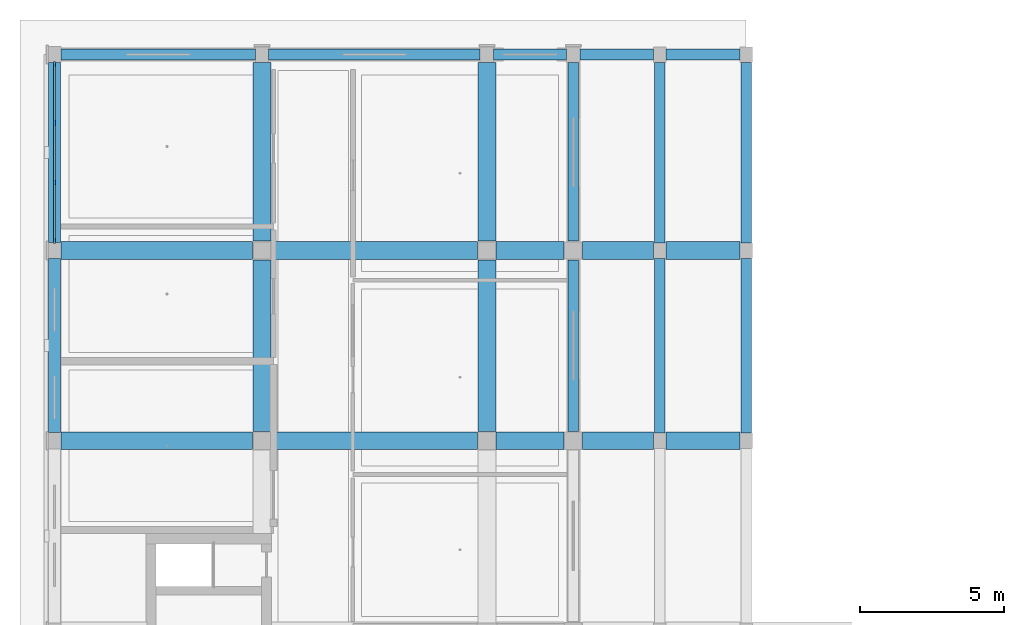
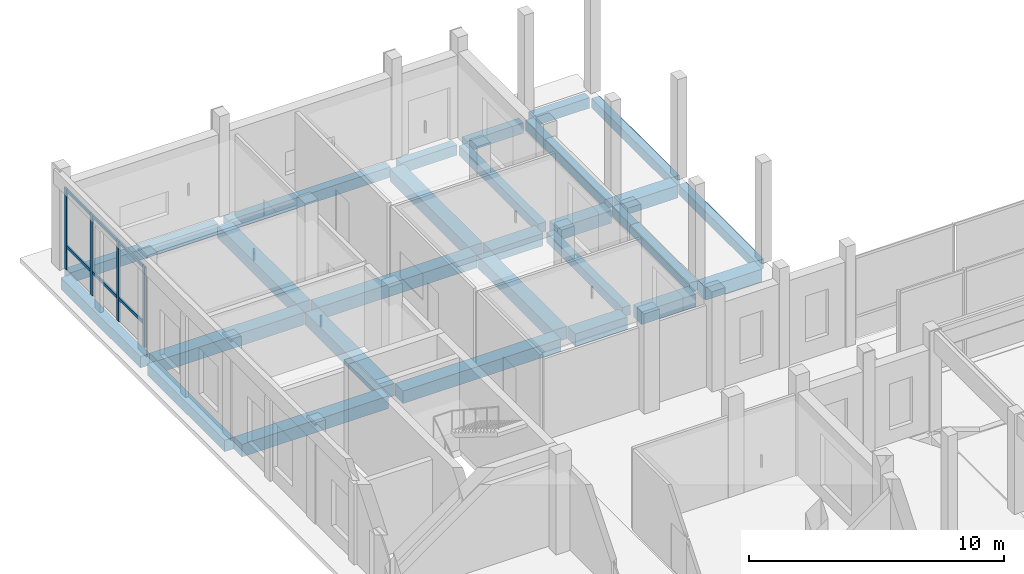
# One storey, part 26 of 88: 27 beams, 6 members, 1 element without a shape of its own.
"""IFC4 building model written with IfcOpenShell, lengths in metres."""

from ifc_helpers import new_model, si_unit, derived_unit, direction, frame, origin, origin_2d, place, context, subcontext, project, spatial, rectangle, extrude, material, material_profile, profile_set, type_object, element, aggregate, save


model = new_model("IFC4")

# Units and contexts
model_context = context("Model", 3, precision=1e-05, world=origin(), true_north=direction((0.0, 1.0)))
body_context = subcontext(model_context, "Body", "Model", "MODEL_VIEW")
ifc_project = project(units=[si_unit("LENGTHUNIT", "METRE"), si_unit("AREAUNIT", "SQUARE_METRE"), si_unit("VOLUMEUNIT", "CUBIC_METRE"), si_unit("PLANEANGLEUNIT", "RADIAN"), si_unit("MASSUNIT", "GRAM", prefix="KILO"), derived_unit("THERMALTRANSMITTANCEUNIT", [(si_unit("POWERUNIT", "WATT"), 1), (si_unit("LENGTHUNIT", "METRE"), -2), (si_unit("THERMODYNAMICTEMPERATUREUNIT", "KELVIN"), -1)])], contexts=[model_context])

# Site, building, storey
site_placement = place(None, origin())
site = spatial("IfcSite", under=ifc_project, at=site_placement, CompositionType="ELEMENT")
building_placement = place(site_placement, origin())
building = spatial("IfcBuilding", under=site, at=building_placement, Name="Braskholm Square Health Centre", CompositionType="ELEMENT")
storey_placement = place(building_placement, origin())
storey = spatial("IfcBuildingStorey", under=building, at=storey_placement, Name="L01", CompositionType="ELEMENT", Elevation=0.0)

# Curtain wall, members
ifc_material_1 = material(Name="Low-E triple insulating glass (VLT 0.64)", Category="glass")
curtain_wall_type = type_object("IfcCurtainWallType", Name="UnitisedCurtainWall6200x3800", PredefinedType="NOTDEFINED", material=ifc_material_1)
curtain_wall_placement = place(storey_placement, origin())
curtain_wall = element("IfcCurtainWall", 1, at=curtain_wall_placement, inside=storey, type_object=curtain_wall_type, Name="West Storefront unitised curtain wall CW-L01-0005", PredefinedType="NOTDEFINED")
ifc_material_2 = material(Name="Architectural bronze anodised aluminium", Category="aluminium")
ifc_material_profile_1 = material_profile(ifc_material_2, rectangle(XDim=0.074951171875, YDim=0.179931640625, at=origin_2d()), Name="ALU-75X180")
ifc_profile_set_1 = profile_set([ifc_material_profile_1], Name="Architectural bronze anodised aluminium")
member_type_1 = type_object("IfcMemberType", Name="CurtainWallMullion75x180", PredefinedType="MULLION", material=ifc_profile_set_1)
member_1_placement = place(storey_placement, frame((4.199951171875, 113.47265625, 0.0), z_axis=(0.0, 0.0, 1.0), x_axis=(1.0, 0.0, 0.0)))
member_1 = element("IfcMember", 2, at=member_1_placement, type_object=member_type_1, Name="CW-L01-0005 vertical mullion 1", PredefinedType="MULLION", context=body_context, shape_type="SweptSolid", body=[
    extrude(rectangle(XDim=0.074951171875, YDim=0.179931640625, at=origin_2d()), origin(), (0.0, 0.0, 1.0), 3.8701171875),
])
member_2_placement = place(storey_placement, frame((4.199951171875, 111.436767578125, 0.0), z_axis=(0.0, 0.0, 1.0), x_axis=(1.0, 0.0, 0.0)))
member_2 = element("IfcMember", 3, at=member_2_placement, type_object=member_type_1, Name="CW-L01-0005 vertical mullion 2", PredefinedType="MULLION", context=body_context, shape_type="SweptSolid", body=[
    extrude(rectangle(XDim=0.074951171875, YDim=0.179931640625, at=origin_2d()), origin(), (0.0, 0.0, 1.0), 3.8701171875),
])
member_3_placement = place(storey_placement, frame((4.199951171875, 109.36328125, 0.0), z_axis=(0.0, 0.0, 1.0), x_axis=(1.0, 0.0, 0.0)))
member_3 = element("IfcMember", 4, at=member_3_placement, type_object=member_type_1, Name="CW-L01-0005 vertical mullion 3", PredefinedType="MULLION", context=body_context, shape_type="SweptSolid", body=[
    extrude(rectangle(XDim=0.074951171875, YDim=0.179931640625, at=origin_2d()), origin(), (0.0, 0.0, 1.0), 3.8701171875),
])
member_4_placement = place(storey_placement, frame((4.199951171875, 107.327392578125, 0.0), z_axis=(0.0, 0.0, 1.0), x_axis=(1.0, 0.0, 0.0)))
member_4 = element("IfcMember", 5, at=member_4_placement, type_object=member_type_1, Name="CW-L01-0005 vertical mullion 4", PredefinedType="MULLION", context=body_context, shape_type="SweptSolid", body=[
    extrude(rectangle(XDim=0.074951171875, YDim=0.179931640625, at=origin_2d()), origin(), (0.0, 0.0, 1.0), 3.8701171875),
])
ifc_material_profile_2 = material_profile(ifc_material_2, rectangle(XDim=0.074951171875, YDim=0.139892578125, at=origin_2d()), Name="ALU-75X140")
ifc_profile_set_2 = profile_set([ifc_material_profile_2], Name="Architectural bronze anodised aluminium")
member_type_2 = type_object("IfcMemberType", Name="CurtainWallTransom75x140", PredefinedType="USERDEFINED", material=ifc_profile_set_2)
member_5_placement = place(storey_placement, frame((4.199951171875, 113.465087890625, 1.1201171875), z_axis=(0.0, -1.0, 0.0), x_axis=(1.0, 0.0, 0.0)))
member_5 = element("IfcMember", 6, at=member_5_placement, type_object=member_type_2, Name="CW-L01-0005 horizontal transom 1", ObjectType="TRANSOM", PredefinedType="USERDEFINED", context=body_context, shape_type="SweptSolid", body=[
    extrude(rectangle(XDim=0.074951171875, YDim=0.139892578125, at=origin_2d()), origin(), (0.0, 0.0, 1.0), 6.130126953125),
])
member_6_placement = place(storey_placement, frame((4.199951171875, 113.465087890625, 3.800048828125), z_axis=(0.0, -1.0, 0.0), x_axis=(1.0, 0.0, 0.0)))
member_6 = element("IfcMember", 7, at=member_6_placement, type_object=member_type_2, Name="CW-L01-0005 horizontal transom 2", ObjectType="TRANSOM", PredefinedType="USERDEFINED", context=body_context, shape_type="SweptSolid", body=[
    extrude(rectangle(XDim=0.074951171875, YDim=0.139892578125, at=origin_2d()), origin(), (0.0, 0.0, 1.0), 6.130126953125),
])
aggregate(curtain_wall, [member_1, member_2, member_3, member_4, member_5, member_6])

# Beams
ifc_material_3 = material(Name="Concrete C40/50 (f'c = 40 MPa)", Category="concrete")
ifc_material_profile_3 = material_profile(ifc_material_3, rectangle(XDim=0.6201171875, YDim=0.60009765625, at=origin_2d()), Name="RCB-620X600")
ifc_profile_set_3 = profile_set([ifc_material_profile_3], Name="Concrete C40/50 (f'c = 40 MPa)")
beam_type_1 = type_object("IfcBeamType", Name="PrimarySubstructureBeam620x600", PredefinedType="BEAM", material=ifc_profile_set_3)
beam_1_placement = place(storey_placement, frame((11.39990234375, 100.72509765625, -0.679931640625), z_axis=(0.0, 1.0, 0.0), x_axis=(-1.0, 0.0, 0.0)))
element("IfcBeam", 8, at=beam_1_placement, inside=storey, type_object=beam_type_1, Name="Beam 2/Q-R L01", PredefinedType="BEAM", context=body_context, shape_type="SweptSolid", body=[
    extrude(rectangle(XDim=0.6201171875, YDim=0.60009765625, at=origin_2d()), origin(), (0.0, 0.0, 1.0), 5.949951171875),
])
beam_2_placement = place(storey_placement, frame((11.39990234375, 107.324951171875, -0.679931640625), z_axis=(0.0, 1.0, 0.0), x_axis=(-1.0, 0.0, 0.0)))
element("IfcBeam", 9, at=beam_2_placement, inside=storey, type_object=beam_type_1, Name="Beam 2/R-S L01", PredefinedType="BEAM", context=body_context, shape_type="SweptSolid", body=[
    extrude(rectangle(XDim=0.6201171875, YDim=0.60009765625, at=origin_2d()), origin(), (0.0, 0.0, 1.0), 6.195068359375),
])
beam_3_placement = place(storey_placement, frame((19.199951171875, 100.72509765625, -0.679931640625), z_axis=(0.0, 1.0, 0.0), x_axis=(-1.0, 0.0, 0.0)))
element("IfcBeam", 10, at=beam_3_placement, inside=storey, type_object=beam_type_1, Name="Beam 3/Q-R L01", PredefinedType="BEAM", context=body_context, shape_type="SweptSolid", body=[
    extrude(rectangle(XDim=0.6201171875, YDim=0.60009765625, at=origin_2d()), origin(), (0.0, 0.0, 1.0), 5.949951171875),
])
beam_4_placement = place(storey_placement, frame((19.199951171875, 107.324951171875, -0.679931640625), z_axis=(0.0, 1.0, 0.0), x_axis=(-1.0, 0.0, 0.0)))
element("IfcBeam", 11, at=beam_4_placement, inside=storey, type_object=beam_type_1, Name="Beam 3/R-S L01", PredefinedType="BEAM", context=body_context, shape_type="SweptSolid", body=[
    extrude(rectangle(XDim=0.6201171875, YDim=0.60009765625, at=origin_2d()), origin(), (0.0, 0.0, 1.0), 6.195068359375),
])
beam_5_placement = place(storey_placement, frame((4.429931640625, 100.39990234375, -0.679931640625), z_axis=(1.0, 0.0, 0.0), x_axis=(0.0, 1.0, 0.0)))
element("IfcBeam", 12, at=beam_5_placement, inside=storey, type_object=beam_type_1, Name="Beam 1-2/Q L01", PredefinedType="BEAM", context=body_context, shape_type="SweptSolid", body=[
    extrude(rectangle(XDim=0.6201171875, YDim=0.60009765625, at=origin_2d()), origin(), (0.0, 0.0, 1.0), 6.64501953125),
])
beam_6_placement = place(storey_placement, frame((11.72509765625, 100.39990234375, -0.679931640625), z_axis=(1.0, 0.0, 0.0), x_axis=(0.0, 1.0, 0.0)))
element("IfcBeam", 13, at=beam_6_placement, inside=storey, type_object=beam_type_1, Name="Beam 2-3/Q L01", PredefinedType="BEAM", context=body_context, shape_type="SweptSolid", body=[
    extrude(rectangle(XDim=0.6201171875, YDim=0.60009765625, at=origin_2d()), origin(), (0.0, 0.0, 1.0), 7.14990234375),
])
beam_7_placement = place(storey_placement, frame((19.52490234375, 100.39990234375, -0.679931640625), z_axis=(1.0, 0.0, 0.0), x_axis=(0.0, 1.0, 0.0)))
element("IfcBeam", 14, at=beam_7_placement, inside=storey, type_object=beam_type_1, Name="Beam 3-4/Q L01", PredefinedType="BEAM", context=body_context, shape_type="SweptSolid", body=[
    extrude(rectangle(XDim=0.6201171875, YDim=0.60009765625, at=origin_2d()), origin(), (0.0, 0.0, 1.0), 2.35009765625),
])
beam_8_placement = place(storey_placement, frame((22.52490234375, 100.39990234375, -0.679931640625), z_axis=(1.0, 0.0, 0.0), x_axis=(0.0, 1.0, 0.0)))
element("IfcBeam", 15, at=beam_8_placement, inside=storey, type_object=beam_type_1, Name="Beam 4-5/Q L01", PredefinedType="BEAM", context=body_context, shape_type="SweptSolid", body=[
    extrude(rectangle(XDim=0.6201171875, YDim=0.60009765625, at=origin_2d()), origin(), (0.0, 0.0, 1.0), 2.455078125),
])
beam_9_placement = place(storey_placement, frame((25.419921875, 100.39990234375, -0.52490234375), z_axis=(1.0, 0.0, 0.0), x_axis=(0.0, 1.0, 0.0)))
element("IfcBeam", 16, at=beam_9_placement, inside=storey, type_object=beam_type_1, Name="Beam 5-6/Q L01", PredefinedType="BEAM", context=body_context, shape_type="SweptSolid", body=[
    extrude(rectangle(XDim=0.6201171875, YDim=0.60009765625, at=origin_2d()), origin(), (0.0, 0.0, 1.0), 2.56005859375),
])
beam_10_placement = place(storey_placement, frame((4.429931640625, 107.0, -0.679931640625), z_axis=(1.0, 0.0, 0.0), x_axis=(0.0, 1.0, 0.0)))
element("IfcBeam", 17, at=beam_10_placement, inside=storey, type_object=beam_type_1, Name="Beam 1-2/R L01", PredefinedType="BEAM", context=body_context, shape_type="SweptSolid", body=[
    extrude(rectangle(XDim=0.6201171875, YDim=0.60009765625, at=origin_2d()), origin(), (0.0, 0.0, 1.0), 6.64501953125),
])
beam_11_placement = place(storey_placement, frame((11.72509765625, 107.0, -0.679931640625), z_axis=(1.0, 0.0, 0.0), x_axis=(0.0, 1.0, 0.0)))
element("IfcBeam", 18, at=beam_11_placement, inside=storey, type_object=beam_type_1, Name="Beam 2-3/R L01", PredefinedType="BEAM", context=body_context, shape_type="SweptSolid", body=[
    extrude(rectangle(XDim=0.6201171875, YDim=0.60009765625, at=origin_2d()), origin(), (0.0, 0.0, 1.0), 7.14990234375),
])
beam_12_placement = place(storey_placement, frame((19.52490234375, 107.0, -0.679931640625), z_axis=(1.0, 0.0, 0.0), x_axis=(0.0, 1.0, 0.0)))
element("IfcBeam", 19, at=beam_12_placement, inside=storey, type_object=beam_type_1, Name="Beam 3-4/R L01", PredefinedType="BEAM", context=body_context, shape_type="SweptSolid", body=[
    extrude(rectangle(XDim=0.6201171875, YDim=0.60009765625, at=origin_2d()), origin(), (0.0, 0.0, 1.0), 2.35009765625),
])
beam_13_placement = place(storey_placement, frame((22.52490234375, 107.0, -0.679931640625), z_axis=(1.0, 0.0, 0.0), x_axis=(0.0, 1.0, 0.0)))
element("IfcBeam", 20, at=beam_13_placement, inside=storey, type_object=beam_type_1, Name="Beam 4-5/R L01", PredefinedType="BEAM", context=body_context, shape_type="SweptSolid", body=[
    extrude(rectangle(XDim=0.6201171875, YDim=0.60009765625, at=origin_2d()), origin(), (0.0, 0.0, 1.0), 2.455078125),
])
beam_14_placement = place(storey_placement, frame((25.419921875, 107.0, -0.52490234375), z_axis=(1.0, 0.0, 0.0), x_axis=(0.0, 1.0, 0.0)))
element("IfcBeam", 21, at=beam_14_placement, inside=storey, type_object=beam_type_1, Name="Beam 5-6/R L01", PredefinedType="BEAM", context=body_context, shape_type="SweptSolid", body=[
    extrude(rectangle(XDim=0.6201171875, YDim=0.60009765625, at=origin_2d()), origin(), (0.0, 0.0, 1.0), 2.56005859375),
])
ifc_material_4 = material(Name="Precast concrete C40/50 architectural white", Category="concrete")
ifc_material_profile_4 = material_profile(ifc_material_4, rectangle(XDim=0.3798828125, YDim=0.5, at=origin_2d()), Name="RCB-380X500")
ifc_profile_set_4 = profile_set([ifc_material_profile_4], Name="Precast concrete C40/50 architectural white")
beam_type_2 = type_object("IfcBeamType", Name="SpandrelPrecastEdge380x500", PredefinedType="SPANDREL", material=ifc_profile_set_4)
beam_15_placement = place(storey_placement, frame((4.429931640625, 113.800048828125, -0.6298828125), z_axis=(1.0, 0.0, 0.0), x_axis=(0.0, 1.0, 0.0)))
element("IfcBeam", 22, at=beam_15_placement, inside=storey, type_object=beam_type_2, Name="Beam 1-2/S L01", PredefinedType="SPANDREL", context=body_context, shape_type="SweptSolid", body=[
    extrude(rectangle(XDim=0.3798828125, YDim=0.5, at=origin_2d()), origin(), (0.0, 0.0, 1.0), 6.739990234375),
])
beam_16_placement = place(storey_placement, frame((11.6298828125, 113.800048828125, -0.6298828125), z_axis=(1.0, 0.0, 0.0), x_axis=(0.0, 1.0, 0.0)))
element("IfcBeam", 23, at=beam_16_placement, inside=storey, type_object=beam_type_2, Name="Beam 2-3/S L01", PredefinedType="SPANDREL", context=body_context, shape_type="SweptSolid", body=[
    extrude(rectangle(XDim=0.3798828125, YDim=0.5, at=origin_2d()), origin(), (0.0, 0.0, 1.0), 7.340087890625),
])
beam_17_placement = place(storey_placement, frame((19.429931640625, 113.800048828125, -0.6298828125), z_axis=(1.0, 0.0, 0.0), x_axis=(0.0, 1.0, 0.0)))
element("IfcBeam", 24, at=beam_17_placement, inside=storey, type_object=beam_type_2, Name="Beam 3-4/S L01", PredefinedType="SPANDREL", context=body_context, shape_type="SweptSolid", body=[
    extrude(rectangle(XDim=0.3798828125, YDim=0.5, at=origin_2d()), origin(), (0.0, 0.0, 1.0), 2.5400390625),
])
beam_18_placement = place(storey_placement, frame((22.429931640625, 113.800048828125, -0.6298828125), z_axis=(1.0, 0.0, 0.0), x_axis=(0.0, 1.0, 0.0)))
element("IfcBeam", 25, at=beam_18_placement, inside=storey, type_object=beam_type_2, Name="Beam 4-5/S L01", PredefinedType="SPANDREL", context=body_context, shape_type="SweptSolid", body=[
    extrude(rectangle(XDim=0.3798828125, YDim=0.5, at=origin_2d()), origin(), (0.0, 0.0, 1.0), 2.550048828125),
])
beam_19_placement = place(storey_placement, frame((25.419921875, 113.800048828125, -0.47509765625), z_axis=(1.0, 0.0, 0.0), x_axis=(0.0, 1.0, 0.0)))
element("IfcBeam", 26, at=beam_19_placement, inside=storey, type_object=beam_type_2, Name="Beam 5-6/S L01", PredefinedType="SPANDREL", context=body_context, shape_type="SweptSolid", body=[
    extrude(rectangle(XDim=0.3798828125, YDim=0.5, at=origin_2d()), origin(), (0.0, 0.0, 1.0), 2.56005859375),
])
ifc_material_profile_5 = material_profile(ifc_material_4, rectangle(XDim=0.419921875, YDim=0.550048828125, at=origin_2d()), Name="RCB-420X550")
ifc_profile_set_5 = profile_set([ifc_material_profile_5], Name="Precast concrete C40/50 architectural white")
beam_type_3 = type_object("IfcBeamType", Name="SpandrelPrecastLedge420x550", PredefinedType="SPANDREL", material=ifc_profile_set_5)
beam_20_placement = place(storey_placement, frame((4.199951171875, 100.679931640625, -0.655029296875), z_axis=(0.0, 1.0, 0.0), x_axis=(-1.0, 0.0, 0.0)))
element("IfcBeam", 27, at=beam_20_placement, inside=storey, type_object=beam_type_3, Name="Beam 1/Q-R L01", PredefinedType="SPANDREL", context=body_context, shape_type="SweptSolid", body=[
    extrude(rectangle(XDim=0.419921875, YDim=0.550048828125, at=origin_2d()), origin(), (0.0, 0.0, 1.0), 6.0400390625),
])
beam_21_placement = place(storey_placement, frame((4.199951171875, 107.280029296875, -0.655029296875), z_axis=(0.0, 1.0, 0.0), x_axis=(-1.0, 0.0, 0.0)))
element("IfcBeam", 28, at=beam_21_placement, inside=storey, type_object=beam_type_3, Name="Beam 1/R-S L01", PredefinedType="SPANDREL", context=body_context, shape_type="SweptSolid", body=[
    extrude(rectangle(XDim=0.419921875, YDim=0.550048828125, at=origin_2d()), origin(), (0.0, 0.0, 1.0), 6.239990234375),
])
ifc_material_profile_6 = material_profile(ifc_material_4, rectangle(XDim=0.360107421875, YDim=0.4599609375, at=origin_2d()), Name="RCB-360X460")
ifc_profile_set_6 = profile_set([ifc_material_profile_6], Name="Precast concrete C40/50 architectural white")
beam_type_4 = type_object("IfcBeamType", Name="SpandrelTerraceEdge360x460", PredefinedType="SPANDREL", material=ifc_profile_set_6)
beam_22_placement = place(storey_placement, frame((22.199951171875, 100.72509765625, -0.610107421875), z_axis=(0.0, 1.0, 0.0), x_axis=(-1.0, 0.0, 0.0)))
element("IfcBeam", 29, at=beam_22_placement, inside=storey, type_object=beam_type_4, Name="Beam 4/Q-R L01", PredefinedType="SPANDREL", context=body_context, shape_type="SweptSolid", body=[
    extrude(rectangle(XDim=0.360107421875, YDim=0.4599609375, at=origin_2d()), origin(), (0.0, 0.0, 1.0), 5.949951171875),
])
beam_23_placement = place(storey_placement, frame((22.199951171875, 107.324951171875, -0.610107421875), z_axis=(0.0, 1.0, 0.0), x_axis=(-1.0, 0.0, 0.0)))
element("IfcBeam", 30, at=beam_23_placement, inside=storey, type_object=beam_type_4, Name="Beam 4/R-S L01", PredefinedType="SPANDREL", context=body_context, shape_type="SweptSolid", body=[
    extrude(rectangle(XDim=0.360107421875, YDim=0.4599609375, at=origin_2d()), origin(), (0.0, 0.0, 1.0), 6.195068359375),
])
beam_24_placement = place(storey_placement, frame((25.199951171875, 100.669921875, -0.455078125), z_axis=(0.0, 1.0, 0.0), x_axis=(-1.0, 0.0, 0.0)))
element("IfcBeam", 31, at=beam_24_placement, inside=storey, type_object=beam_type_4, Name="Beam 5/Q-R L01", PredefinedType="SPANDREL", context=body_context, shape_type="SweptSolid", body=[
    extrude(rectangle(XDim=0.360107421875, YDim=0.4599609375, at=origin_2d()), origin(), (0.0, 0.0, 1.0), 6.06005859375),
])
beam_25_placement = place(storey_placement, frame((25.199951171875, 107.27001953125, -0.455078125), z_axis=(0.0, 1.0, 0.0), x_axis=(-1.0, 0.0, 0.0)))
element("IfcBeam", 32, at=beam_25_placement, inside=storey, type_object=beam_type_4, Name="Beam 5/R-S L01", PredefinedType="SPANDREL", context=body_context, shape_type="SweptSolid", body=[
    extrude(rectangle(XDim=0.360107421875, YDim=0.4599609375, at=origin_2d()), origin(), (0.0, 0.0, 1.0), 6.260009765625),
])
beam_26_placement = place(storey_placement, frame((28.199951171875, 100.669921875, -0.455078125), z_axis=(0.0, 1.0, 0.0), x_axis=(-1.0, 0.0, 0.0)))
element("IfcBeam", 33, at=beam_26_placement, inside=storey, type_object=beam_type_4, Name="Beam 6/Q-R L01", PredefinedType="SPANDREL", context=body_context, shape_type="SweptSolid", body=[
    extrude(rectangle(XDim=0.360107421875, YDim=0.4599609375, at=origin_2d()), origin(), (0.0, 0.0, 1.0), 6.06005859375),
])
beam_27_placement = place(storey_placement, frame((28.199951171875, 107.27001953125, -0.455078125), z_axis=(0.0, 1.0, 0.0), x_axis=(-1.0, 0.0, 0.0)))
element("IfcBeam", 34, at=beam_27_placement, inside=storey, type_object=beam_type_4, Name="Beam 6/R-S L01", PredefinedType="SPANDREL", context=body_context, shape_type="SweptSolid", body=[
    extrude(rectangle(XDim=0.360107421875, YDim=0.4599609375, at=origin_2d()), origin(), (0.0, 0.0, 1.0), 6.260009765625),
])

save(model, "model.ifc")
